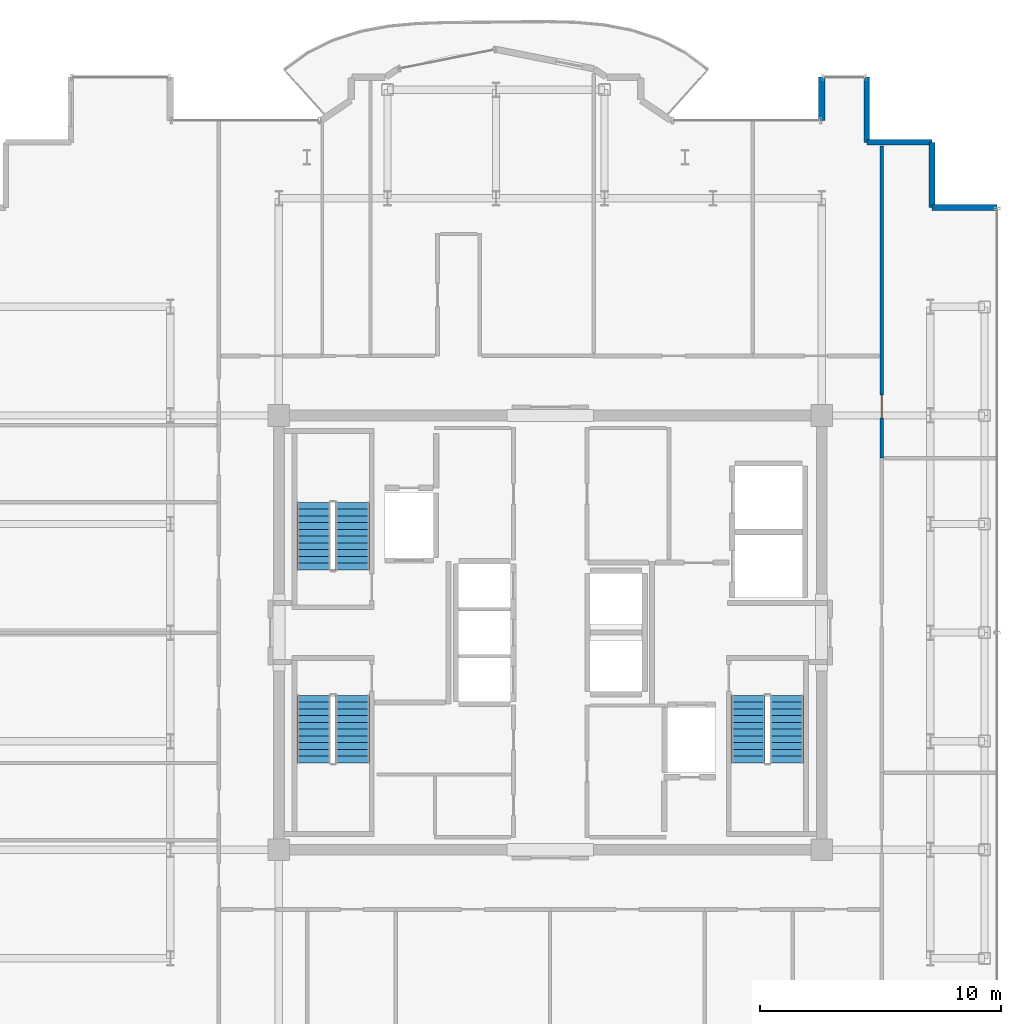
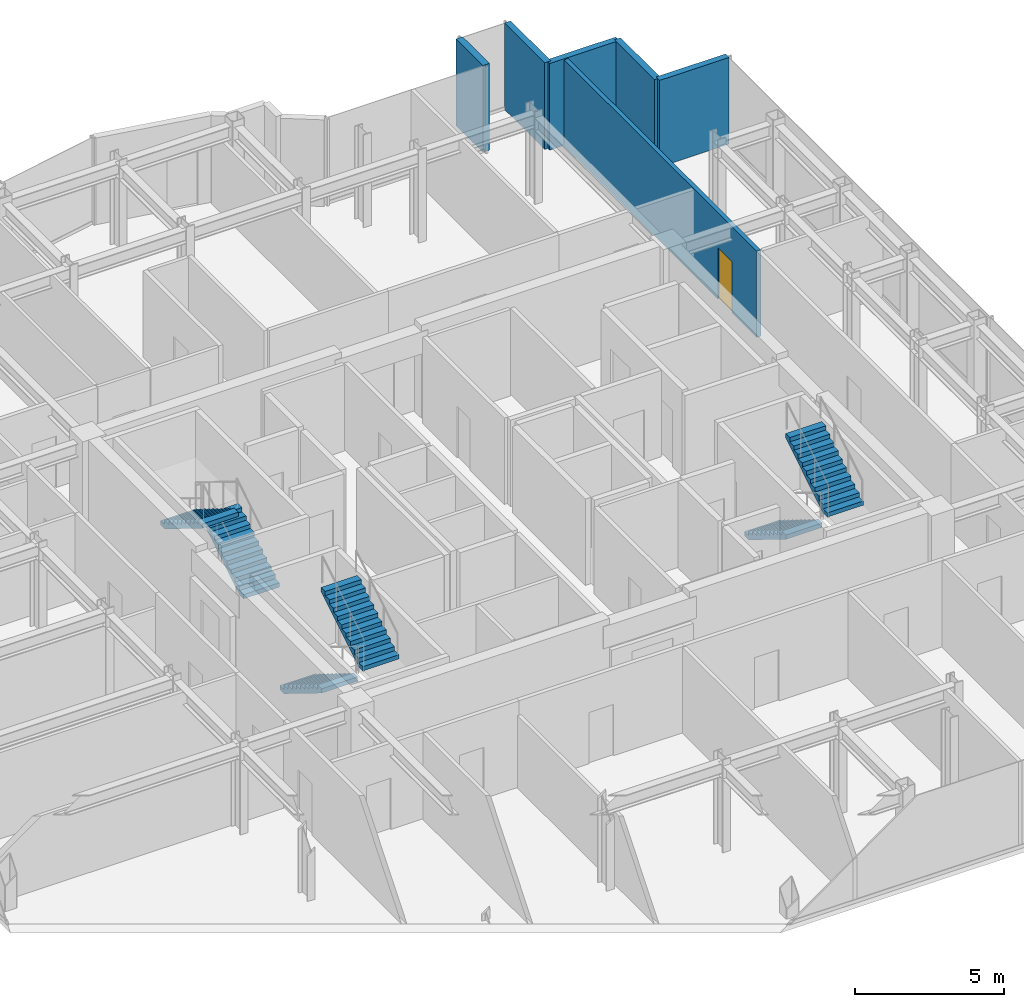
# One storey, part 17 of 18: 6 stair flights, 6 walls, 1 door, 1 opening, 3 elements without a shape of their own.
"""IFC4 building model written with IfcOpenShell, lengths in metres."""

from ifc_helpers import new_model, si_unit, direction, frame, frame_2d, origin, place, context, subcontext, project, spatial, polyline, rectangle, outline, extrude, source, transform, mapped, material, layer, layer_set, type_object, element, fill, aggregate, save


model = new_model("IFC4")

# Units and contexts
model_context = context("Model", 3, precision=1e-05, world=origin(), true_north=direction((0.0, 1.0)))
body_context = subcontext(model_context, "Body", "Model", "MODEL_VIEW")
ifc_project = project(units=[si_unit("LENGTHUNIT", "METRE"), si_unit("AREAUNIT", "SQUARE_METRE"), si_unit("VOLUMEUNIT", "CUBIC_METRE"), si_unit("PLANEANGLEUNIT", "RADIAN"), si_unit("MASSUNIT", "GRAM", prefix="KILO")], contexts=[model_context])

# Site, building, storey
site_placement = place(None, origin())
site = spatial("IfcSite", under=ifc_project, at=site_placement, CompositionType="ELEMENT")
building_placement = place(site_placement, origin())
building = spatial("IfcBuilding", under=site, at=building_placement, Name="Nefas-Gora Pilgrimage Tower", CompositionType="ELEMENT")
storey_placement = place(building_placement, frame((0.0, 0.0, 306.39990234375)))
storey = spatial("IfcBuildingStorey", under=building, at=storey_placement, Name="L77", CompositionType="ELEMENT", Elevation=306.39990234375)

# Walls
ifc_material_1 = material(Name="Precast concrete C40/50", Category="concrete")
ifc_layer_1 = layer(ifc_material_1, 0.260009765625)
ifc_layer_set_1 = layer_set([ifc_layer_1], Name="Precast concrete C40/50")
wall_type_1 = type_object("IfcWallType", Name="EW-PORTAL-260", PredefinedType="SOLIDWALL", material=ifc_layer_set_1)
shared_shape_1 = source(origin(), body_context, "Body", "SweptSolid", [
    extrude(rectangle(XDim=1.800048828125, YDim=0.260009765625, at=frame_2d((0.89990234375, 0.0))), origin(), (0.0, 0.0, 1.0), 3.550048828125),
])
wall_1_placement = place(storey_placement, frame((11.25, 23.02001953125, 0.0), z_axis=(0.0, 0.0, 1.0), x_axis=(0.0, -1.0, 0.0)))
element("IfcWall", 1, at=wall_1_placement, inside=storey, type_object=wall_type_1, Name="L77 Lobe Shoulder Precast Spandrel Pier 6", PredefinedType="SOLIDWALL", context=body_context, shape_type="MappedRepresentation", body=[
    mapped(shared_shape_1, transform((0.0, 0.0, 0.0), x_axis=(1.0, 0.0, 0.0), y_axis=(0.0, 1.0, 0.0), z_axis=(0.0, 0.0, 1.0), scale=1.0)),
])
ifc_material_2 = material(Name="Precast concrete C45/55", Category="concrete")
ifc_layer_2 = layer(ifc_material_2, 0.239990234375)
ifc_layer_set_2 = layer_set([ifc_layer_2], Name="Precast concrete C45/55")
wall_type_2 = type_object("IfcWallType", Name="EW-SERR-240", PredefinedType="SHEAR", material=ifc_layer_set_2)
shared_shape_2 = source(origin(), body_context, "Body", "SweptSolid", [
    extrude(rectangle(XDim=2.699951171875, YDim=0.239990234375, at=frame_2d((1.35009765625, 0.0))), origin(), (0.0, 0.0, 1.0), 3.550048828125),
])
for number, where, z_axis, x_axis, name in (
    (2, (18.52001953125, 17.6201171875, 0.0), (0.0, 0.0, 1.0), (-1.0, 0.0, 0.0), "L77 Serrated Corner Shear Pier Wall 2"),
    (3, (15.820068359375, 17.6201171875, 0.0), (0.0, 0.0, 1.0), (0.0, 1.0, 0.0), "L77 Serrated Corner Shear Pier Wall 3"),
    (4, (15.820068359375, 20.320068359375, 0.0), (0.0, 0.0, 1.0), (-1.0, 0.0, 0.0), "L77 Serrated Corner Shear Pier Wall 4"),
    (5, (13.1201171875, 20.320068359375, 0.0), (0.0, 0.0, 1.0), (0.0, 1.0, 0.0), "L77 Serrated Corner Shear Pier Wall 5"),
):
    element("IfcWall", number, at=place(storey_placement, frame(where, z_axis=z_axis, x_axis=x_axis)), inside=storey, type_object=wall_type_2, Name=name, PredefinedType="SHEAR", context=body_context, shape_type="MappedRepresentation", body=[
        mapped(shared_shape_2, transform((0.0, 0.0, 0.0), x_axis=(1.0, 0.0, 0.0), y_axis=(0.0, 1.0, 0.0), z_axis=(0.0, 0.0, 1.0), scale=1.0)),
    ])

# Wall, opening, door
ifc_material_3 = material(Name="Gypsum acoustic stud partition")
ifc_layer_3 = layer(ifc_material_3, 0.159912109375)
ifc_layer_set_3 = layer_set([ifc_layer_3], Name="Gypsum acoustic stud partition")
wall_type_3 = type_object("IfcWallType", Name="IW-CORR-160", PredefinedType="PARTITIONING", material=ifc_layer_set_3)
shared_shape_3 = source(origin(), body_context, "Body", "SweptSolid", [
    extrude(rectangle(XDim=12.92236328125, YDim=0.159912109375, at=frame_2d((6.461181640625, 0.0))), origin(), (0.0, 0.0, 1.0), 3.53515625),
])
wall_2_placement = place(storey_placement, frame((13.739990234375, 7.237548828125, 0.0), z_axis=(0.0, 0.0, 1.0), x_axis=(0.0, 1.0, 0.0)))
wall_2 = element("IfcWall", 6, at=wall_2_placement, inside=storey, type_object=wall_type_3, Name="L77 Pilgrim Contemplative Lounge Partition Wall 52", PredefinedType="PARTITIONING", context=body_context, shape_type="MappedRepresentation", body=[
    mapped(shared_shape_3, transform((0.0, 0.0, 0.0), x_axis=(1.0, 0.0, 0.0), y_axis=(0.0, 1.0, 0.0), z_axis=(0.0, 0.0, 1.0), scale=1.0)),
])
opening_placement = place(wall_2_placement, frame((1.6611328125, 0.0, 0.0)))
opening = element("IfcOpeningElement", 7, at=opening_placement, cuts=wall_2, Name="Opening ID-GR1", PredefinedType="OPENING", context=body_context, shape_type="SweptSolid", body=[
    extrude(rectangle(XDim=0.949951171875, YDim=2.10009765625, at=frame_2d((0.47509765625, 1.050048828125))), frame((0.0, 0.08984375, 0.0), z_axis=(0.0, -1.0, 0.0), x_axis=(1.0, 0.0, 0.0)), (0.0, 0.0, 1.0), 0.179931640625),
])
ifc_material_4 = material(Name="Solid core oak fire-rated guest entrance door")
door_type = type_object("IfcDoorType", Name="DR-INT-GUEST-950", OperationType="NOTDEFINED", PredefinedType="DOOR", material=ifc_material_4)
shared_shape_4 = source(origin(), body_context, "Body", "SweptSolid", [
    extrude(rectangle(XDim=0.949951171875, YDim=2.10009765625, at=frame_2d((0.47509765625, 1.050048828125))), frame((0.0, 0.02490234375, 0.0), z_axis=(0.0, -1.0, 0.0), x_axis=(1.0, 0.0, 0.0)), (0.0, 0.0, 1.0), 0.050048828125),
])
door_placement = place(opening_placement, origin())
door = element("IfcDoor", 8, at=door_placement, inside=storey, type_object=door_type, Name="L77 Pilgrim Contemplative Lounge Door 23", OperationType="SINGLE_SWING_LEFT", OverallHeight=2.10009765625, OverallWidth=0.949951171875, PredefinedType="DOOR", context=body_context, shape_type="MappedRepresentation", body=[
    mapped(shared_shape_4, transform((0.0, 0.0, 0.0), x_axis=(1.0, 0.0, 0.0), y_axis=(0.0, 1.0, 0.0), z_axis=(0.0, 0.0, 1.0), scale=1.0)),
])
fill(opening, door)

# Stair, stair flights
ifc_material_5 = material(Name="Concrete C45/55", Category="concrete")
stair_type = type_object("IfcStairType", Name="STR-1400-R1727", PredefinedType="HALF_TURN_STAIR", material=ifc_material_5)
stair_1_placement = place(storey_placement, origin())
stair_1 = element("IfcStair", 9, at=stair_1_placement, inside=storey, type_object=stair_type, Name="L77 Pressurised Tower Exit Stair ST-01", PredefinedType="HALF_TURN_STAIR")
stair_flight_type = type_object("IfcStairFlightType", Name="STF-1400-R1727", PredefinedType="STRAIGHT", material=ifc_material_5)
shared_shape_5 = source(origin(), body_context, "Body", "SweptSolid", [
    extrude(outline(polyline([(0.0, 0.0), (0.0, 0.172607421875), (0.280029296875, 0.172607421875), (0.280029296875, 0.345458984375), (0.56005859375, 0.345458984375), (0.56005859375, 0.51806640625), (0.840087890625, 0.51806640625), (0.840087890625, 0.69091796875), (1.1201171875, 0.69091796875), (1.1201171875, 0.863525390625), (1.39990234375, 0.863525390625), (1.39990234375, 1.036376953125), (1.679931640625, 1.036376953125), (1.679931640625, 1.208984375), (1.9599609375, 1.208984375), (1.9599609375, 1.3818359375), (2.239990234375, 1.3818359375), (2.239990234375, 1.554443359375), (2.52001953125, 1.554443359375), (2.52001953125, 1.727294921875), (2.800048828125, 1.727294921875), (2.800048828125, 1.89990234375), (2.800048828125, 1.551025390625), (0.285400390625, 0.0), (0.0, 0.0)])), frame((0.0, 0.699951171875, 0.0), z_axis=(0.0, -1.0, 0.0), x_axis=(1.0, 0.0, 0.0)), (0.0, 0.0, 1.0), 1.39990234375),
])
stair_flight_1_placement = place(storey_placement, frame((-8.199951171875, 2.60009765625, 0.0), z_axis=(0.0, 0.0, 1.0), x_axis=(0.0, 1.0, 0.0)))
stair_flight_1 = element("IfcStairFlight", 10, at=stair_flight_1_placement, type_object=stair_flight_type, Name="ST-01 flight 1", NumberOfRisers=11, NumberOfTreads=10, PredefinedType="STRAIGHT", RiserHeight=0.172727273, TreadLength=0.28, context=body_context, shape_type="MappedRepresentation", body=[
    mapped(shared_shape_5, transform((0.0, 0.0, 0.0), x_axis=(1.0, 0.0, 0.0), y_axis=(0.0, 1.0, 0.0), z_axis=(0.0, 0.0, 1.0), scale=1.0)),
])
stair_flight_2_placement = place(storey_placement, frame((-9.800048828125, 5.39990234375, 1.900146484375), z_axis=(0.0, 0.0, 1.0), x_axis=(0.0, -1.0, 0.0)))
stair_flight_2 = element("IfcStairFlight", 11, at=stair_flight_2_placement, type_object=stair_flight_type, Name="ST-01 flight 2", NumberOfRisers=11, NumberOfTreads=10, PredefinedType="STRAIGHT", RiserHeight=0.172727273, TreadLength=0.28, context=body_context, shape_type="MappedRepresentation", body=[
    mapped(shared_shape_5, transform((0.0, 0.0, 0.0), x_axis=(1.0, 0.0, 0.0), y_axis=(0.0, 1.0, 0.0), z_axis=(0.0, 0.0, 1.0), scale=1.0)),
])
aggregate(stair_1, [stair_flight_1, stair_flight_2])

stair_2_placement = place(storey_placement, origin())
stair_2 = element("IfcStair", 12, at=stair_2_placement, inside=storey, type_object=stair_type, Name="L77 Pressurised Tower Exit Stair ST-02", PredefinedType="HALF_TURN_STAIR")
stair_flight_3_placement = place(storey_placement, frame((8.199951171875, -2.60009765625, 0.0), z_axis=(0.0, 0.0, 1.0), x_axis=(0.0, -1.0, 0.0)))
stair_flight_3 = element("IfcStairFlight", 13, at=stair_flight_3_placement, type_object=stair_flight_type, Name="ST-02 flight 1", NumberOfRisers=11, NumberOfTreads=10, PredefinedType="STRAIGHT", RiserHeight=0.172727273, TreadLength=0.28, context=body_context, shape_type="MappedRepresentation", body=[
    mapped(shared_shape_5, transform((0.0, 0.0, 0.0), x_axis=(1.0, 0.0, 0.0), y_axis=(0.0, 1.0, 0.0), z_axis=(0.0, 0.0, 1.0), scale=1.0)),
])
stair_flight_4_placement = place(storey_placement, frame((9.800048828125, -5.39990234375, 1.900146484375), z_axis=(0.0, 0.0, 1.0), x_axis=(0.0, 1.0, 0.0)))
stair_flight_4 = element("IfcStairFlight", 14, at=stair_flight_4_placement, type_object=stair_flight_type, Name="ST-02 flight 2", NumberOfRisers=11, NumberOfTreads=10, PredefinedType="STRAIGHT", RiserHeight=0.172727273, TreadLength=0.28, context=body_context, shape_type="MappedRepresentation", body=[
    mapped(shared_shape_5, transform((0.0, 0.0, 0.0), x_axis=(1.0, 0.0, 0.0), y_axis=(0.0, 1.0, 0.0), z_axis=(0.0, 0.0, 1.0), scale=1.0)),
])
aggregate(stair_2, [stair_flight_3, stair_flight_4])

stair_3_placement = place(storey_placement, origin())
stair_3 = element("IfcStair", 15, at=stair_3_placement, inside=storey, type_object=stair_type, Name="L77 Pressurised Tower Exit Stair ST-03", PredefinedType="HALF_TURN_STAIR")
stair_flight_5_placement = place(storey_placement, frame((-9.800048828125, -2.60009765625, 0.0), z_axis=(0.0, 0.0, 1.0), x_axis=(0.0, -1.0, 0.0)))
stair_flight_5 = element("IfcStairFlight", 16, at=stair_flight_5_placement, type_object=stair_flight_type, Name="ST-03 flight 1", NumberOfRisers=11, NumberOfTreads=10, PredefinedType="STRAIGHT", RiserHeight=0.172727273, TreadLength=0.28, context=body_context, shape_type="MappedRepresentation", body=[
    mapped(shared_shape_5, transform((0.0, 0.0, 0.0), x_axis=(1.0, 0.0, 0.0), y_axis=(0.0, 1.0, 0.0), z_axis=(0.0, 0.0, 1.0), scale=1.0)),
])
stair_flight_6_placement = place(storey_placement, frame((-8.199951171875, -5.39990234375, 1.900146484375), z_axis=(0.0, 0.0, 1.0), x_axis=(0.0, 1.0, 0.0)))
stair_flight_6 = element("IfcStairFlight", 17, at=stair_flight_6_placement, type_object=stair_flight_type, Name="ST-03 flight 2", NumberOfRisers=11, NumberOfTreads=10, PredefinedType="STRAIGHT", RiserHeight=0.172727273, TreadLength=0.28, context=body_context, shape_type="MappedRepresentation", body=[
    mapped(shared_shape_5, transform((0.0, 0.0, 0.0), x_axis=(1.0, 0.0, 0.0), y_axis=(0.0, 1.0, 0.0), z_axis=(0.0, 0.0, 1.0), scale=1.0)),
])
aggregate(stair_3, [stair_flight_5, stair_flight_6])

save(model, "model.ifc")
